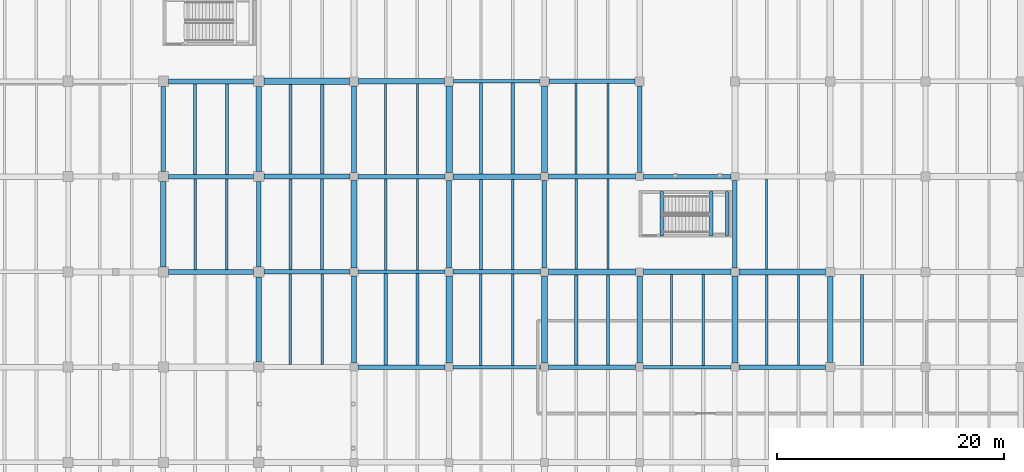
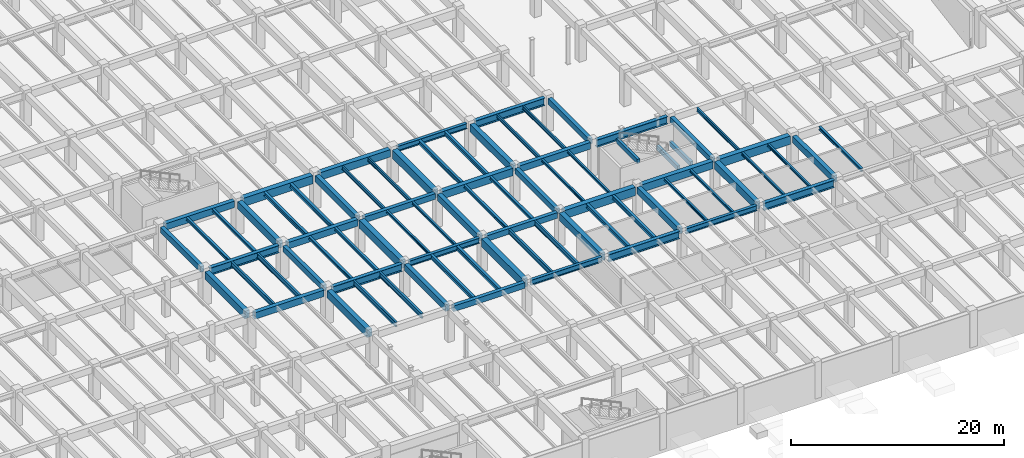
# One storey, part 17 of 63: 79 beams.
"""IFC4 building model written with IfcOpenShell, lengths in metres."""

from ifc_helpers import new_model, si_unit, direction, frame, origin, origin_2d, place, context, subcontext, project, spatial, rectangle, i_section, extrude, material, material_profile, profile_set, type_object, element, save


model = new_model("IFC4")

# Units and contexts
model_context = context("Model", 3, precision=1e-05, world=origin(), true_north=direction((0.0, 1.0)))
body_context = subcontext(model_context, "Body", "Model", "MODEL_VIEW")
ifc_project = project(units=[si_unit("LENGTHUNIT", "METRE"), si_unit("AREAUNIT", "SQUARE_METRE"), si_unit("VOLUMEUNIT", "CUBIC_METRE"), si_unit("PLANEANGLEUNIT", "RADIAN"), si_unit("MASSUNIT", "GRAM", prefix="KILO")], contexts=[model_context])

# Site, building, storey
site_placement = place(None, origin())
site = spatial("IfcSite", under=ifc_project, at=site_placement, CompositionType="ELEMENT")
building_placement = place(site_placement, origin())
building = spatial("IfcBuilding", under=site, at=building_placement, Name="Cumbredor Promenade Congress Hotel", CompositionType="ELEMENT")
storey_placement = place(building_placement, frame((0.0, 0.0, -4.199951171875)))
storey = spatial("IfcBuildingStorey", under=building, at=storey_placement, Name="B01", CompositionType="ELEMENT", Elevation=-4.199951171875)

# Beams
ifc_material_1 = material(Name="Concrete C40/50", Category="concrete")
ifc_material_profile_1 = material_profile(ifc_material_1, rectangle(XDim=0.39990234375, YDim=0.64990234375, at=origin_2d()), Name="RC BEAM 400x650")
ifc_profile_set_1 = profile_set([ifc_material_profile_1], Name="Concrete C40/50")
beam_type_1 = type_object("IfcBeamType", Name="BM-RC-400x650", PredefinedType="BEAM", material=ifc_profile_set_1)
for number, where, z_axis, x_axis, name in (
    (1, (58.800048828125, 50.85009765625, 3.52490234375), (0.0, 1.0, 0.0), (-1.0, 0.0, 0.0), "L00 Y-Grid Beam 159"),
    (2, (67.199951171875, 42.449951171875, 3.52490234375), (0.0, 1.0, 0.0), (-1.0, 0.0, 0.0), "L00 Y-Grid Beam 183"),
):
    element("IfcBeam", number, at=place(storey_placement, frame(where, z_axis=z_axis, x_axis=x_axis)), inside=storey, type_object=beam_type_1, Name=name, PredefinedType="BEAM", context=body_context, shape_type="SweptSolid", body=[
        extrude(rectangle(XDim=0.39990234375, YDim=0.64990234375, at=origin_2d()), origin(), (0.0, 0.0, 1.0), 7.5),
    ])
for number, where, z_axis, x_axis, name in (
    (3, (75.949951171875, 33.60009765625, 3.52490234375), (1.0, 0.0, 0.0), (0.0, 1.0, 0.0), "L00 X-Grid Beam 207"),
    (4, (75.949951171875, 50.39990234375, 3.52490234375), (1.0, 0.0, 0.0), (0.0, 1.0, 0.0), "L00 X-Grid Beam 211"),
    (5, (84.35009765625, 42.0, 3.52490234375), (1.0, 0.0, 0.0), (0.0, 1.0, 0.0), "L00 X-Grid Beam 235"),
    (6, (92.39990234375, 42.35009765625, 3.52490234375), (0.0, 1.0, 0.0), (-1.0, 0.0, 0.0), "L00 Y-Grid Beam 263"),
):
    element("IfcBeam", number, at=place(storey_placement, frame(where, z_axis=z_axis, x_axis=x_axis)), inside=storey, type_object=beam_type_1, Name=name, PredefinedType="BEAM", context=body_context, shape_type="SweptSolid", body=[
        extrude(rectangle(XDim=0.39990234375, YDim=0.64990234375, at=origin_2d()), origin(), (0.0, 0.0, 1.0), 7.699951171875),
    ])
beam_1_placement = place(storey_placement, frame((100.800048828125, 50.75, 3.52490234375), z_axis=(0.0, 1.0, 0.0), x_axis=(-1.0, 0.0, 0.0)))
element("IfcBeam", 7, at=beam_1_placement, inside=storey, type_object=beam_type_1, Name="L00 Y-Grid Beam 291", PredefinedType="BEAM", context=body_context, shape_type="SweptSolid", body=[
    extrude(rectangle(XDim=0.39990234375, YDim=0.64990234375, at=origin_2d()), origin(), (0.0, 0.0, 1.0), 7.64990234375),
])
beam_2_placement = place(storey_placement, frame((109.199951171875, 42.35009765625, 3.52490234375), z_axis=(0.0, 1.0, 0.0), x_axis=(-1.0, 0.0, 0.0)))
element("IfcBeam", 8, at=beam_2_placement, inside=storey, type_object=beam_type_1, Name="L00 Y-Grid Beam 311", PredefinedType="BEAM", context=body_context, shape_type="SweptSolid", body=[
    extrude(rectangle(XDim=0.39990234375, YDim=0.64990234375, at=origin_2d()), origin(), (0.0, 0.0, 1.0), 7.699951171875),
])
ifc_material_profile_2 = material_profile(ifc_material_1, rectangle(XDim=0.449951171875, YDim=0.75, at=origin_2d()), Name="RC BEAM 450x750")
ifc_profile_set_2 = profile_set([ifc_material_profile_2], Name="Concrete C40/50")
beam_type_2 = type_object("IfcBeamType", Name="BM-RC-450x750", PredefinedType="BEAM", material=ifc_profile_set_2)
for number, where, z_axis, x_axis, name in (
    (9, (59.25, 42.0, 3.474853515625), (1.0, 0.0, 0.0), (0.0, 1.0, 0.0), "L00 X-Grid Beam 156"),
    (10, (59.25, 58.800048828125, 3.474853515625), (1.0, 0.0, 0.0), (0.0, 1.0, 0.0), "L00 X-Grid Beam 160"),
):
    element("IfcBeam", number, at=place(storey_placement, frame(where, z_axis=z_axis, x_axis=x_axis)), inside=storey, type_object=beam_type_2, Name=name, PredefinedType="BEAM", context=body_context, shape_type="SweptSolid", body=[
        extrude(rectangle(XDim=0.449951171875, YDim=0.75, at=origin_2d()), origin(), (0.0, 0.0, 1.0), 7.5),
    ])
beam_3_placement = place(storey_placement, frame((67.64990234375, 50.39990234375, 3.474853515625), z_axis=(1.0, 0.0, 0.0), x_axis=(0.0, 1.0, 0.0)))
element("IfcBeam", 11, at=beam_3_placement, inside=storey, type_object=beam_type_2, Name="L00 X-Grid Beam 184", PredefinedType="BEAM", context=body_context, shape_type="SweptSolid", body=[
    extrude(rectangle(XDim=0.449951171875, YDim=0.75, at=origin_2d()), origin(), (0.0, 0.0, 1.0), 7.60009765625),
])
beam_4_placement = place(storey_placement, frame((75.60009765625, 33.949951171875, 3.474853515625), z_axis=(0.0, 1.0, 0.0), x_axis=(-1.0, 0.0, 0.0)))
element("IfcBeam", 12, at=beam_4_placement, inside=storey, type_object=beam_type_2, Name="L00 Y-Grid Beam 208", PredefinedType="BEAM", context=body_context, shape_type="SweptSolid", body=[
    extrude(rectangle(XDim=0.449951171875, YDim=0.75, at=origin_2d()), origin(), (0.0, 0.0, 1.0), 7.699951171875),
])
beam_5_placement = place(storey_placement, frame((75.60009765625, 50.75, 3.474853515625), z_axis=(0.0, 1.0, 0.0), x_axis=(-1.0, 0.0, 0.0)))
element("IfcBeam", 13, at=beam_5_placement, inside=storey, type_object=beam_type_2, Name="L00 Y-Grid Beam 212", PredefinedType="BEAM", context=body_context, shape_type="SweptSolid", body=[
    extrude(rectangle(XDim=0.449951171875, YDim=0.75, at=origin_2d()), origin(), (0.0, 0.0, 1.0), 7.64990234375),
])
for number, where, z_axis, x_axis, name in (
    (14, (84.0, 42.35009765625, 3.474853515625), (0.0, 1.0, 0.0), (-1.0, 0.0, 0.0), "L00 Y-Grid Beam 236"),
    (15, (92.75, 50.39990234375, 3.474853515625), (1.0, 0.0, 0.0), (0.0, 1.0, 0.0), "L00 X-Grid Beam 264"),
    (16, (100.800048828125, 33.949951171875, 3.474853515625), (0.0, 1.0, 0.0), (-1.0, 0.0, 0.0), "L00 Y-Grid Beam 288"),
):
    element("IfcBeam", number, at=place(storey_placement, frame(where, z_axis=z_axis, x_axis=x_axis)), inside=storey, type_object=beam_type_2, Name=name, PredefinedType="BEAM", context=body_context, shape_type="SweptSolid", body=[
        extrude(rectangle(XDim=0.449951171875, YDim=0.75, at=origin_2d()), origin(), (0.0, 0.0, 1.0), 7.699951171875),
    ])
beam_6_placement = place(storey_placement, frame((117.60009765625, 34.0, 3.474853515625), z_axis=(0.0, 1.0, 0.0), x_axis=(-1.0, 0.0, 0.0)))
element("IfcBeam", 17, at=beam_6_placement, inside=storey, type_object=beam_type_2, Name="L00 Y-Grid Beam 336", PredefinedType="BEAM", context=body_context, shape_type="SweptSolid", body=[
    extrude(rectangle(XDim=0.449951171875, YDim=0.75, at=origin_2d()), origin(), (0.0, 0.0, 1.0), 7.60009765625),
])
ifc_material_profile_3 = material_profile(ifc_material_1, rectangle(XDim=0.5, YDim=0.85009765625, at=origin_2d()), Name="RC BEAM 500x850")
ifc_profile_set_3 = profile_set([ifc_material_profile_3], Name="Concrete C40/50")
beam_type_3 = type_object("IfcBeamType", Name="BM-RC-500x850", PredefinedType="BEAM", material=ifc_profile_set_3)
for number, where, z_axis, x_axis, name in (
    (18, (58.800048828125, 42.449951171875, 3.425048828125), (0.0, 1.0, 0.0), (-1.0, 0.0, 0.0), "L00 Y-Grid Beam 157"),
    (19, (67.199951171875, 34.050048828125, 3.425048828125), (0.0, 1.0, 0.0), (-1.0, 0.0, 0.0), "L00 Y-Grid Beam 181"),
    (20, (67.199951171875, 50.85009765625, 3.425048828125), (0.0, 1.0, 0.0), (-1.0, 0.0, 0.0), "L00 Y-Grid Beam 185"),
):
    element("IfcBeam", number, at=place(storey_placement, frame(where, z_axis=z_axis, x_axis=x_axis)), inside=storey, type_object=beam_type_3, Name=name, PredefinedType="BEAM", context=body_context, shape_type="SweptSolid", body=[
        extrude(rectangle(XDim=0.5, YDim=0.85009765625, at=origin_2d()), origin(), (0.0, 0.0, 1.0), 7.5),
    ])
beam_7_placement = place(storey_placement, frame((76.0, 58.800048828125, 3.425048828125), z_axis=(1.0, 0.0, 0.0), x_axis=(0.0, 1.0, 0.0)))
element("IfcBeam", 21, at=beam_7_placement, inside=storey, type_object=beam_type_3, Name="L00 X-Grid Beam 213", PredefinedType="BEAM", context=body_context, shape_type="SweptSolid", body=[
    extrude(rectangle(XDim=0.5, YDim=0.85009765625, at=origin_2d()), origin(), (0.0, 0.0, 1.0), 7.60009765625),
])
for number, where, z_axis, x_axis, name in (
    (22, (84.35009765625, 50.39990234375, 3.425048828125), (1.0, 0.0, 0.0), (0.0, 1.0, 0.0), "L00 X-Grid Beam 237"),
    (23, (92.39990234375, 33.949951171875, 3.425048828125), (0.0, 1.0, 0.0), (-1.0, 0.0, 0.0), "L00 Y-Grid Beam 261"),
):
    element("IfcBeam", number, at=place(storey_placement, frame(where, z_axis=z_axis, x_axis=x_axis)), inside=storey, type_object=beam_type_3, Name=name, PredefinedType="BEAM", context=body_context, shape_type="SweptSolid", body=[
        extrude(rectangle(XDim=0.5, YDim=0.85009765625, at=origin_2d()), origin(), (0.0, 0.0, 1.0), 7.699951171875),
    ])
beam_8_placement = place(storey_placement, frame((92.39990234375, 50.75, 3.425048828125), z_axis=(0.0, 1.0, 0.0), x_axis=(-1.0, 0.0, 0.0)))
element("IfcBeam", 24, at=beam_8_placement, inside=storey, type_object=beam_type_3, Name="L00 Y-Grid Beam 265", PredefinedType="BEAM", context=body_context, shape_type="SweptSolid", body=[
    extrude(rectangle(XDim=0.5, YDim=0.85009765625, at=origin_2d()), origin(), (0.0, 0.0, 1.0), 7.64990234375),
])
beam_9_placement = place(storey_placement, frame((101.14990234375, 42.0, 3.425048828125), z_axis=(1.0, 0.0, 0.0), x_axis=(0.0, 1.0, 0.0)))
element("IfcBeam", 25, at=beam_9_placement, inside=storey, type_object=beam_type_3, Name="L00 X-Grid Beam 289", PredefinedType="BEAM", context=body_context, shape_type="SweptSolid", body=[
    extrude(rectangle(XDim=0.5, YDim=0.85009765625, at=origin_2d()), origin(), (0.0, 0.0, 1.0), 7.7001953125),
])
beam_10_placement = place(storey_placement, frame((109.199951171875, 33.949951171875, 3.425048828125), z_axis=(0.0, 1.0, 0.0), x_axis=(-1.0, 0.0, 0.0)))
element("IfcBeam", 26, at=beam_10_placement, inside=storey, type_object=beam_type_3, Name="L00 Y-Grid Beam 309", PredefinedType="BEAM", context=body_context, shape_type="SweptSolid", body=[
    extrude(rectangle(XDim=0.5, YDim=0.85009765625, at=origin_2d()), origin(), (0.0, 0.0, 1.0), 7.699951171875),
])
ifc_material_profile_4 = material_profile(ifc_material_1, rectangle(XDim=0.550048828125, YDim=0.949951171875, at=origin_2d()), Name="RC BEAM 550x950")
ifc_profile_set_4 = profile_set([ifc_material_profile_4], Name="Concrete C40/50")
beam_type_4 = type_object("IfcBeamType", Name="BM-RC-550x950", PredefinedType="BEAM", material=ifc_profile_set_4)
beam_11_placement = place(storey_placement, frame((67.64990234375, 58.800048828125, 3.375), z_axis=(1.0, 0.0, 0.0), x_axis=(0.0, 1.0, 0.0)))
element("IfcBeam", 27, at=beam_11_placement, inside=storey, type_object=beam_type_4, Name="L00 X-Grid Beam 186", PredefinedType="BEAM", context=body_context, shape_type="SweptSolid", body=[
    extrude(rectangle(XDim=0.550048828125, YDim=0.949951171875, at=origin_2d()), origin(), (0.0, 0.0, 1.0), 7.550048828125),
])
for number, where, z_axis, x_axis, name in (
    (28, (75.60009765625, 42.35009765625, 3.375), (0.0, 1.0, 0.0), (-1.0, 0.0, 0.0), "L00 Y-Grid Beam 210"),
    (29, (84.0, 33.949951171875, 3.375), (0.0, 1.0, 0.0), (-1.0, 0.0, 0.0), "L00 Y-Grid Beam 234"),
):
    element("IfcBeam", number, at=place(storey_placement, frame(where, z_axis=z_axis, x_axis=x_axis)), inside=storey, type_object=beam_type_4, Name=name, PredefinedType="BEAM", context=body_context, shape_type="SweptSolid", body=[
        extrude(rectangle(XDim=0.550048828125, YDim=0.949951171875, at=origin_2d()), origin(), (0.0, 0.0, 1.0), 7.699951171875),
    ])
beam_12_placement = place(storey_placement, frame((84.0, 50.75, 3.375), z_axis=(0.0, 1.0, 0.0), x_axis=(-1.0, 0.0, 0.0)))
element("IfcBeam", 30, at=beam_12_placement, inside=storey, type_object=beam_type_4, Name="L00 Y-Grid Beam 238", PredefinedType="BEAM", context=body_context, shape_type="SweptSolid", body=[
    extrude(rectangle(XDim=0.550048828125, YDim=0.949951171875, at=origin_2d()), origin(), (0.0, 0.0, 1.0), 7.64990234375),
])
beam_13_placement = place(storey_placement, frame((92.75, 42.0, 3.375), z_axis=(1.0, 0.0, 0.0), x_axis=(0.0, 1.0, 0.0)))
element("IfcBeam", 31, at=beam_13_placement, inside=storey, type_object=beam_type_4, Name="L00 X-Grid Beam 262", PredefinedType="BEAM", context=body_context, shape_type="SweptSolid", body=[
    extrude(rectangle(XDim=0.550048828125, YDim=0.949951171875, at=origin_2d()), origin(), (0.0, 0.0, 1.0), 7.699951171875),
])
beam_14_placement = place(storey_placement, frame((109.550048828125, 42.0, 3.375), z_axis=(1.0, 0.0, 0.0), x_axis=(0.0, 1.0, 0.0)))
element("IfcBeam", 32, at=beam_14_placement, inside=storey, type_object=beam_type_4, Name="L00 X-Grid Beam 310", PredefinedType="BEAM", context=body_context, shape_type="SweptSolid", body=[
    extrude(rectangle(XDim=0.550048828125, YDim=0.949951171875, at=origin_2d()), origin(), (0.0, 0.0, 1.0), 7.64990234375),
])
ifc_material_2 = material(Name="Steel ASTM A992 Grade 50", Category="steel")
ifc_material_profile_5 = material_profile(ifc_material_2, i_section(OverallWidth=0.323974609375, OverallDepth=0.611083984375, WebThickness=0.0126953125, FlangeThickness=0.01904296875, at=origin_2d()), Name="W24X104")
ifc_profile_set_5 = profile_set([ifc_material_profile_5], Name="Steel ASTM A992 Grade 50")
beam_type_5 = type_object("IfcBeamType", Name="BM-W24X104", PredefinedType="BEAM", material=ifc_profile_set_5)
for number, where, z_axis, x_axis, name in (
    (33, (75.949951171875, 42.0, 3.54443359375), (1.0, 0.0, 0.0), (0.0, 1.0, 0.0), "L00 X-Grid Beam 209"),
    (34, (84.35009765625, 33.60009765625, 3.54443359375), (1.0, 0.0, 0.0), (0.0, 1.0, 0.0), "L00 X-Grid Beam 233"),
):
    element("IfcBeam", number, at=place(storey_placement, frame(where, z_axis=z_axis, x_axis=x_axis)), inside=storey, type_object=beam_type_5, Name=name, PredefinedType="BEAM", context=body_context, shape_type="SweptSolid", body=[
        extrude(i_section(OverallWidth=0.323974609375, OverallDepth=0.611083984375, WebThickness=0.0126953125, FlangeThickness=0.01904296875, at=origin_2d()), origin(), (0.0, 0.0, 1.0), 7.699951171875),
    ])
beam_15_placement = place(storey_placement, frame((84.39990234375, 58.800048828125, 3.54443359375), z_axis=(1.0, 0.0, 0.0), x_axis=(0.0, 1.0, 0.0)))
element("IfcBeam", 35, at=beam_15_placement, inside=storey, type_object=beam_type_5, Name="L00 X-Grid Beam 239", PredefinedType="BEAM", context=body_context, shape_type="SweptSolid", body=[
    extrude(i_section(OverallWidth=0.323974609375, OverallDepth=0.611083984375, WebThickness=0.0126953125, FlangeThickness=0.01904296875, at=origin_2d()), origin(), (0.0, 0.0, 1.0), 7.60009765625),
])
beam_16_placement = place(storey_placement, frame((101.14990234375, 33.60009765625, 3.54443359375), z_axis=(1.0, 0.0, 0.0), x_axis=(0.0, 1.0, 0.0)))
element("IfcBeam", 36, at=beam_16_placement, inside=storey, type_object=beam_type_5, Name="L00 X-Grid Beam 287", PredefinedType="BEAM", context=body_context, shape_type="SweptSolid", body=[
    extrude(i_section(OverallWidth=0.323974609375, OverallDepth=0.611083984375, WebThickness=0.0126953125, FlangeThickness=0.01904296875, at=origin_2d()), origin(), (0.0, 0.0, 1.0), 7.7001953125),
])
ifc_material_profile_6 = material_profile(ifc_material_2, i_section(OverallWidth=0.39990234375, OverallDepth=0.85498046875, WebThickness=0.018310546875, FlangeThickness=0.029296875, at=origin_2d()), Name="W33X201")
ifc_profile_set_6 = profile_set([ifc_material_profile_6], Name="Steel ASTM A992 Grade 50")
beam_type_6 = type_object("IfcBeamType", Name="BM-W33X201", PredefinedType="BEAM", material=ifc_profile_set_6)
beam_17_placement = place(storey_placement, frame((59.25, 50.39990234375, 3.42236328125), z_axis=(1.0, 0.0, 0.0), x_axis=(0.0, 1.0, 0.0)))
element("IfcBeam", 37, at=beam_17_placement, inside=storey, type_object=beam_type_6, Name="L00 X-Grid Beam 158", PredefinedType="BEAM", context=body_context, shape_type="SweptSolid", body=[
    extrude(i_section(OverallWidth=0.39990234375, OverallDepth=0.85498046875, WebThickness=0.018310546875, FlangeThickness=0.029296875, at=origin_2d()), origin(), (0.0, 0.0, 1.0), 7.5),
])
beam_18_placement = place(storey_placement, frame((67.64990234375, 42.0, 3.42236328125), z_axis=(1.0, 0.0, 0.0), x_axis=(0.0, 1.0, 0.0)))
element("IfcBeam", 38, at=beam_18_placement, inside=storey, type_object=beam_type_6, Name="L00 X-Grid Beam 182", PredefinedType="BEAM", context=body_context, shape_type="SweptSolid", body=[
    extrude(i_section(OverallWidth=0.39990234375, OverallDepth=0.85498046875, WebThickness=0.018310546875, FlangeThickness=0.029296875, at=origin_2d()), origin(), (0.0, 0.0, 1.0), 7.60009765625),
])
beam_19_placement = place(storey_placement, frame((92.75, 33.60009765625, 3.42236328125), z_axis=(1.0, 0.0, 0.0), x_axis=(0.0, 1.0, 0.0)))
element("IfcBeam", 39, at=beam_19_placement, inside=storey, type_object=beam_type_6, Name="L00 X-Grid Beam 260", PredefinedType="BEAM", context=body_context, shape_type="SweptSolid", body=[
    extrude(i_section(OverallWidth=0.39990234375, OverallDepth=0.85498046875, WebThickness=0.018310546875, FlangeThickness=0.029296875, at=origin_2d()), origin(), (0.0, 0.0, 1.0), 7.699951171875),
])
beam_20_placement = place(storey_placement, frame((92.800048828125, 58.800048828125, 3.42236328125), z_axis=(1.0, 0.0, 0.0), x_axis=(0.0, 1.0, 0.0)))
element("IfcBeam", 40, at=beam_20_placement, inside=storey, type_object=beam_type_6, Name="L00 X-Grid Beam 266", PredefinedType="BEAM", context=body_context, shape_type="SweptSolid", body=[
    extrude(i_section(OverallWidth=0.39990234375, OverallDepth=0.85498046875, WebThickness=0.018310546875, FlangeThickness=0.029296875, at=origin_2d()), origin(), (0.0, 0.0, 1.0), 7.599853515625),
])
beam_21_placement = place(storey_placement, frame((101.14990234375, 50.39990234375, 3.42236328125), z_axis=(1.0, 0.0, 0.0), x_axis=(0.0, 1.0, 0.0)))
element("IfcBeam", 41, at=beam_21_placement, inside=storey, type_object=beam_type_6, Name="L00 X-Grid Beam 290", PredefinedType="BEAM", context=body_context, shape_type="SweptSolid", body=[
    extrude(i_section(OverallWidth=0.39990234375, OverallDepth=0.85498046875, WebThickness=0.018310546875, FlangeThickness=0.029296875, at=origin_2d()), origin(), (0.0, 0.0, 1.0), 7.7001953125),
])
beam_22_placement = place(storey_placement, frame((109.550048828125, 33.60009765625, 3.42236328125), z_axis=(1.0, 0.0, 0.0), x_axis=(0.0, 1.0, 0.0)))
element("IfcBeam", 42, at=beam_22_placement, inside=storey, type_object=beam_type_6, Name="L00 X-Grid Beam 308", PredefinedType="BEAM", context=body_context, shape_type="SweptSolid", body=[
    extrude(i_section(OverallWidth=0.39990234375, OverallDepth=0.85498046875, WebThickness=0.018310546875, FlangeThickness=0.029296875, at=origin_2d()), origin(), (0.0, 0.0, 1.0), 7.64990234375),
])
ifc_material_profile_7 = material_profile(ifc_material_2, i_section(OverallWidth=0.202880859375, OverallDepth=0.302978515625, WebThickness=0.007568359375, FlangeThickness=0.01318359375, at=origin_2d()), Name="W12X40")
ifc_profile_set_7 = profile_set([ifc_material_profile_7], Name="Steel ASTM A992 Grade 50")
beam_type_7 = type_object("IfcBeamType", Name="JST-W12X40", PredefinedType="JOIST", material=ifc_profile_set_7)
for number, where, z_axis, x_axis, name in (
    (43, (78.39990234375, 42.162109375, 3.698486328125), (0.0, 1.0, 0.0), (-1.0, 0.0, 0.0), "L00 Secondary Floor Joist 0174"),
    (44, (81.199951171875, 42.162109375, 3.698486328125), (0.0, 1.0, 0.0), (-1.0, 0.0, 0.0), "L00 Secondary Floor Joist 0175"),
):
    element("IfcBeam", number, at=place(storey_placement, frame(where, z_axis=z_axis, x_axis=x_axis)), inside=storey, type_object=beam_type_7, Name=name, PredefinedType="JOIST", context=body_context, shape_type="SweptSolid", body=[
        extrude(i_section(OverallWidth=0.202880859375, OverallDepth=0.302978515625, WebThickness=0.007568359375, FlangeThickness=0.01318359375, at=origin_2d()), origin(), (0.0, 0.0, 1.0), 8.037841796875),
    ])
for number, where, z_axis, x_axis, name in (
    (45, (95.199951171875, 42.27490234375, 3.698486328125), (0.0, 1.0, 0.0), (-1.0, 0.0, 0.0), "L00 Secondary Floor Joist 0224"),
    (46, (98.0, 42.27490234375, 3.698486328125), (0.0, 1.0, 0.0), (-1.0, 0.0, 0.0), "L00 Secondary Floor Joist 0225"),
):
    element("IfcBeam", number, at=place(storey_placement, frame(where, z_axis=z_axis, x_axis=x_axis)), inside=storey, type_object=beam_type_7, Name=name, PredefinedType="JOIST", context=body_context, shape_type="SweptSolid", body=[
        extrude(i_section(OverallWidth=0.202880859375, OverallDepth=0.302978515625, WebThickness=0.007568359375, FlangeThickness=0.01318359375, at=origin_2d()), origin(), (0.0, 0.0, 1.0), 7.900146484375),
    ])
for number, where, z_axis, x_axis, name in (
    (47, (103.60009765625, 33.761962890625, 3.698486328125), (0.0, 1.0, 0.0), (-1.0, 0.0, 0.0), "L00 Secondary Floor Joist 0244"),
    (48, (106.39990234375, 33.761962890625, 3.698486328125), (0.0, 1.0, 0.0), (-1.0, 0.0, 0.0), "L00 Secondary Floor Joist 0245"),
):
    element("IfcBeam", number, at=place(storey_placement, frame(where, z_axis=z_axis, x_axis=x_axis)), inside=storey, type_object=beam_type_7, Name=name, PredefinedType="JOIST", context=body_context, shape_type="SweptSolid", body=[
        extrude(i_section(OverallWidth=0.202880859375, OverallDepth=0.302978515625, WebThickness=0.007568359375, FlangeThickness=0.01318359375, at=origin_2d()), origin(), (0.0, 0.0, 1.0), 7.988037109375),
    ])
for number, where, z_axis, x_axis, name in (
    (49, (112.0, 33.800048828125, 3.698486328125), (0.0, 1.0, 0.0), (-1.0, 0.0, 0.0), "L00 Secondary Floor Joist 0259"),
    (50, (114.800048828125, 33.800048828125, 3.698486328125), (0.0, 1.0, 0.0), (-1.0, 0.0, 0.0), "L00 Secondary Floor Joist 0260"),
):
    element("IfcBeam", number, at=place(storey_placement, frame(where, z_axis=z_axis, x_axis=x_axis)), inside=storey, type_object=beam_type_7, Name=name, PredefinedType="JOIST", context=body_context, shape_type="SweptSolid", body=[
        extrude(i_section(OverallWidth=0.202880859375, OverallDepth=0.302978515625, WebThickness=0.007568359375, FlangeThickness=0.01318359375, at=origin_2d()), origin(), (0.0, 0.0, 1.0), 7.925048828125),
    ])
ifc_material_profile_8 = material_profile(ifc_material_2, i_section(OverallWidth=0.2548828125, OverallDepth=0.35693359375, WebThickness=0.010498046875, FlangeThickness=0.018310546875, at=origin_2d()), Name="W14X68")
ifc_profile_set_8 = profile_set([ifc_material_profile_8], Name="Steel ASTM A992 Grade 50")
beam_type_8 = type_object("IfcBeamType", Name="JST-W14X68", PredefinedType="JOIST", material=ifc_profile_set_8)
for number, where, z_axis, x_axis, name in (
    (51, (61.60009765625, 50.60009765625, 3.67138671875), (0.0, 1.0, 0.0), (-1.0, 0.0, 0.0), "L00 Secondary Floor Joist 0130"),
    (52, (64.39990234375, 50.60009765625, 3.67138671875), (0.0, 1.0, 0.0), (-1.0, 0.0, 0.0), "L00 Secondary Floor Joist 0131"),
):
    element("IfcBeam", number, at=place(storey_placement, frame(where, z_axis=z_axis, x_axis=x_axis)), inside=storey, type_object=beam_type_8, Name=name, PredefinedType="JOIST", context=body_context, shape_type="SweptSolid", body=[
        extrude(i_section(OverallWidth=0.2548828125, OverallDepth=0.35693359375, WebThickness=0.010498046875, FlangeThickness=0.018310546875, at=origin_2d()), origin(), (0.0, 0.0, 1.0), 7.974853515625),
    ])
for number, where, z_axis, x_axis, name in (
    (53, (70.0, 42.199951171875, 3.67138671875), (0.0, 1.0, 0.0), (-1.0, 0.0, 0.0), "L00 Secondary Floor Joist 0150"),
    (54, (72.800048828125, 42.199951171875, 3.67138671875), (0.0, 1.0, 0.0), (-1.0, 0.0, 0.0), "L00 Secondary Floor Joist 0151"),
):
    element("IfcBeam", number, at=place(storey_placement, frame(where, z_axis=z_axis, x_axis=x_axis)), inside=storey, type_object=beam_type_8, Name=name, PredefinedType="JOIST", context=body_context, shape_type="SweptSolid", body=[
        extrude(i_section(OverallWidth=0.2548828125, OverallDepth=0.35693359375, WebThickness=0.010498046875, FlangeThickness=0.018310546875, at=origin_2d()), origin(), (0.0, 0.0, 1.0), 7.97509765625),
    ])
for number, where, z_axis, x_axis, name in (
    (55, (86.800048828125, 42.199951171875, 3.67138671875), (0.0, 1.0, 0.0), (-1.0, 0.0, 0.0), "L00 Secondary Floor Joist 0200"),
    (56, (89.60009765625, 42.199951171875, 3.67138671875), (0.0, 1.0, 0.0), (-1.0, 0.0, 0.0), "L00 Secondary Floor Joist 0201"),
):
    element("IfcBeam", number, at=place(storey_placement, frame(where, z_axis=z_axis, x_axis=x_axis)), inside=storey, type_object=beam_type_8, Name=name, PredefinedType="JOIST", context=body_context, shape_type="SweptSolid", body=[
        extrude(i_section(OverallWidth=0.2548828125, OverallDepth=0.35693359375, WebThickness=0.010498046875, FlangeThickness=0.018310546875, at=origin_2d()), origin(), (0.0, 0.0, 1.0), 7.949951171875),
    ])
beam_23_placement = place(storey_placement, frame((120.39990234375, 33.761962890625, 3.67138671875), z_axis=(0.0, 1.0, 0.0), x_axis=(-1.0, 0.0, 0.0)))
element("IfcBeam", 57, at=beam_23_placement, inside=storey, type_object=beam_type_8, Name="L00 Secondary Floor Joist 0285", PredefinedType="JOIST", context=body_context, shape_type="SweptSolid", body=[
    extrude(i_section(OverallWidth=0.2548828125, OverallDepth=0.35693359375, WebThickness=0.010498046875, FlangeThickness=0.018310546875, at=origin_2d()), origin(), (0.0, 0.0, 1.0), 7.988037109375),
])
ifc_material_profile_9 = material_profile(ifc_material_2, i_section(OverallWidth=0.180908203125, OverallDepth=0.4169921875, WebThickness=0.010986328125, FlangeThickness=0.018310546875, at=origin_2d()), Name="W16X57")
ifc_profile_set_9 = profile_set([ifc_material_profile_9], Name="Steel ASTM A992 Grade 50")
beam_type_9 = type_object("IfcBeamType", Name="JST-W16X57", PredefinedType="JOIST", material=ifc_profile_set_9)
for number, where, z_axis, x_axis, name in (
    (58, (78.39990234375, 50.60009765625, 3.641357421875), (0.0, 1.0, 0.0), (-1.0, 0.0, 0.0), "L00 Secondary Floor Joist 0176"),
    (59, (81.199951171875, 50.60009765625, 3.641357421875), (0.0, 1.0, 0.0), (-1.0, 0.0, 0.0), "L00 Secondary Floor Joist 0177"),
):
    element("IfcBeam", number, at=place(storey_placement, frame(where, z_axis=z_axis, x_axis=x_axis)), inside=storey, type_object=beam_type_9, Name=name, PredefinedType="JOIST", context=body_context, shape_type="SweptSolid", body=[
        extrude(i_section(OverallWidth=0.180908203125, OverallDepth=0.4169921875, WebThickness=0.010986328125, FlangeThickness=0.018310546875, at=origin_2d()), origin(), (0.0, 0.0, 1.0), 7.949951171875),
    ])
for number, where, z_axis, x_axis, name in (
    (60, (95.199951171875, 50.625, 3.641357421875), (0.0, 1.0, 0.0), (-1.0, 0.0, 0.0), "L00 Secondary Floor Joist 0226"),
    (61, (98.0, 50.625, 3.641357421875), (0.0, 1.0, 0.0), (-1.0, 0.0, 0.0), "L00 Secondary Floor Joist 0227"),
):
    element("IfcBeam", number, at=place(storey_placement, frame(where, z_axis=z_axis, x_axis=x_axis)), inside=storey, type_object=beam_type_9, Name=name, PredefinedType="JOIST", context=body_context, shape_type="SweptSolid", body=[
        extrude(i_section(OverallWidth=0.180908203125, OverallDepth=0.4169921875, WebThickness=0.010986328125, FlangeThickness=0.018310546875, at=origin_2d()), origin(), (0.0, 0.0, 1.0), 7.97509765625),
    ])
beam_24_placement = place(storey_placement, frame((112.0, 42.27490234375, 3.641357421875), z_axis=(0.0, 1.0, 0.0), x_axis=(-1.0, 0.0, 0.0)))
element("IfcBeam", 62, at=beam_24_placement, inside=storey, type_object=beam_type_9, Name="L00 Secondary Floor Joist 0261", PredefinedType="JOIST", context=body_context, shape_type="SweptSolid", body=[
    extrude(i_section(OverallWidth=0.180908203125, OverallDepth=0.4169921875, WebThickness=0.010986328125, FlangeThickness=0.018310546875, at=origin_2d()), origin(), (0.0, 0.0, 1.0), 7.900146484375),
])
ifc_material_profile_10 = material_profile(ifc_material_2, i_section(OverallWidth=0.280029296875, OverallDepth=0.462890625, WebThickness=0.0107421875, FlangeThickness=0.017333984375, at=origin_2d()), Name="W18X76")
ifc_profile_set_10 = profile_set([ifc_material_profile_10], Name="Steel ASTM A992 Grade 50")
beam_type_10 = type_object("IfcBeamType", Name="JST-W18X76", PredefinedType="JOIST", material=ifc_profile_set_10)
for number, where, z_axis, x_axis, name in (
    (63, (70.0, 50.625, 3.618408203125), (0.0, 1.0, 0.0), (-1.0, 0.0, 0.0), "L00 Secondary Floor Joist 0152"),
    (64, (72.800048828125, 50.625, 3.618408203125), (0.0, 1.0, 0.0), (-1.0, 0.0, 0.0), "L00 Secondary Floor Joist 0153"),
):
    element("IfcBeam", number, at=place(storey_placement, frame(where, z_axis=z_axis, x_axis=x_axis)), inside=storey, type_object=beam_type_10, Name=name, PredefinedType="JOIST", context=body_context, shape_type="SweptSolid", body=[
        extrude(i_section(OverallWidth=0.280029296875, OverallDepth=0.462890625, WebThickness=0.0107421875, FlangeThickness=0.017333984375, at=origin_2d()), origin(), (0.0, 0.0, 1.0), 7.89990234375),
    ])
for number, where, z_axis, x_axis, name in (
    (65, (78.39990234375, 33.800048828125, 3.618408203125), (0.0, 1.0, 0.0), (-1.0, 0.0, 0.0), "L00 Secondary Floor Joist 0172"),
    (66, (81.199951171875, 33.800048828125, 3.618408203125), (0.0, 1.0, 0.0), (-1.0, 0.0, 0.0), "L00 Secondary Floor Joist 0173"),
):
    element("IfcBeam", number, at=place(storey_placement, frame(where, z_axis=z_axis, x_axis=x_axis)), inside=storey, type_object=beam_type_10, Name=name, PredefinedType="JOIST", context=body_context, shape_type="SweptSolid", body=[
        extrude(i_section(OverallWidth=0.280029296875, OverallDepth=0.462890625, WebThickness=0.0107421875, FlangeThickness=0.017333984375, at=origin_2d()), origin(), (0.0, 0.0, 1.0), 8.037841796875),
    ])
for number, where, z_axis, x_axis, name in (
    (67, (86.800048828125, 50.64990234375, 3.618408203125), (0.0, 1.0, 0.0), (-1.0, 0.0, 0.0), "L00 Secondary Floor Joist 0202"),
    (68, (89.60009765625, 50.64990234375, 3.618408203125), (0.0, 1.0, 0.0), (-1.0, 0.0, 0.0), "L00 Secondary Floor Joist 0203"),
):
    element("IfcBeam", number, at=place(storey_placement, frame(where, z_axis=z_axis, x_axis=x_axis)), inside=storey, type_object=beam_type_10, Name=name, PredefinedType="JOIST", context=body_context, shape_type="SweptSolid", body=[
        extrude(i_section(OverallWidth=0.280029296875, OverallDepth=0.462890625, WebThickness=0.0107421875, FlangeThickness=0.017333984375, at=origin_2d()), origin(), (0.0, 0.0, 1.0), 7.988037109375),
    ])
for number, where, z_axis, x_axis, name in (
    (69, (95.199951171875, 33.800048828125, 3.618408203125), (0.0, 1.0, 0.0), (-1.0, 0.0, 0.0), "L00 Secondary Floor Joist 0222"),
    (70, (98.0, 33.800048828125, 3.618408203125), (0.0, 1.0, 0.0), (-1.0, 0.0, 0.0), "L00 Secondary Floor Joist 0223"),
):
    element("IfcBeam", number, at=place(storey_placement, frame(where, z_axis=z_axis, x_axis=x_axis)), inside=storey, type_object=beam_type_10, Name=name, PredefinedType="JOIST", context=body_context, shape_type="SweptSolid", body=[
        extrude(i_section(OverallWidth=0.280029296875, OverallDepth=0.462890625, WebThickness=0.0107421875, FlangeThickness=0.017333984375, at=origin_2d()), origin(), (0.0, 0.0, 1.0), 7.925048828125),
    ])
ifc_material_profile_11 = material_profile(ifc_material_2, i_section(OverallWidth=0.214111328125, OverallDepth=0.549072265625, WebThickness=0.0146484375, FlangeThickness=0.023681640625, at=origin_2d()), Name="W21X93")
ifc_profile_set_11 = profile_set([ifc_material_profile_11], Name="Steel ASTM A992 Grade 50")
beam_type_11 = type_object("IfcBeamType", Name="JST-W21X93", PredefinedType="JOIST", material=ifc_profile_set_11)
for number, where, z_axis, x_axis, name in (
    (71, (61.60009765625, 42.22509765625, 3.575439453125), (0.0, 1.0, 0.0), (-1.0, 0.0, 0.0), "L00 Secondary Floor Joist 0128"),
    (72, (64.39990234375, 42.22509765625, 3.575439453125), (0.0, 1.0, 0.0), (-1.0, 0.0, 0.0), "L00 Secondary Floor Joist 0129"),
):
    element("IfcBeam", number, at=place(storey_placement, frame(where, z_axis=z_axis, x_axis=x_axis)), inside=storey, type_object=beam_type_11, Name=name, PredefinedType="JOIST", context=body_context, shape_type="SweptSolid", body=[
        extrude(i_section(OverallWidth=0.214111328125, OverallDepth=0.549072265625, WebThickness=0.0146484375, FlangeThickness=0.023681640625, at=origin_2d()), origin(), (0.0, 0.0, 1.0), 7.974853515625),
    ])
for number, where, z_axis, x_axis, name in (
    (73, (70.0, 33.824951171875, 3.575439453125), (0.0, 1.0, 0.0), (-1.0, 0.0, 0.0), "L00 Secondary Floor Joist 0148"),
    (74, (72.800048828125, 33.824951171875, 3.575439453125), (0.0, 1.0, 0.0), (-1.0, 0.0, 0.0), "L00 Secondary Floor Joist 0149"),
):
    element("IfcBeam", number, at=place(storey_placement, frame(where, z_axis=z_axis, x_axis=x_axis)), inside=storey, type_object=beam_type_11, Name=name, PredefinedType="JOIST", context=body_context, shape_type="SweptSolid", body=[
        extrude(i_section(OverallWidth=0.214111328125, OverallDepth=0.549072265625, WebThickness=0.0146484375, FlangeThickness=0.023681640625, at=origin_2d()), origin(), (0.0, 0.0, 1.0), 7.97509765625),
    ])
for number, where, z_axis, x_axis, name in (
    (75, (86.800048828125, 33.761962890625, 3.575439453125), (0.0, 1.0, 0.0), (-1.0, 0.0, 0.0), "L00 Secondary Floor Joist 0198"),
    (76, (89.60009765625, 33.761962890625, 3.575439453125), (0.0, 1.0, 0.0), (-1.0, 0.0, 0.0), "L00 Secondary Floor Joist 0199"),
):
    element("IfcBeam", number, at=place(storey_placement, frame(where, z_axis=z_axis, x_axis=x_axis)), inside=storey, type_object=beam_type_11, Name=name, PredefinedType="JOIST", context=body_context, shape_type="SweptSolid", body=[
        extrude(i_section(OverallWidth=0.214111328125, OverallDepth=0.549072265625, WebThickness=0.0146484375, FlangeThickness=0.023681640625, at=origin_2d()), origin(), (0.0, 0.0, 1.0), 8.0380859375),
    ])
ifc_material_profile_12 = material_profile(ifc_material_1, rectangle(XDim=0.300048828125, YDim=0.5, at=origin_2d()), Name="RC LINTEL 300x500")
ifc_profile_set_12 = profile_set([ifc_material_profile_12], Name="Concrete C40/50")
beam_type_12 = type_object("IfcBeamType", Name="LN-RC-300x500", PredefinedType="LINTEL", material=ifc_profile_set_12)
for number, where, z_axis, x_axis, name in (
    (77, (108.5, 45.14990234375, 1.64990234375), (0.0, 1.0, 0.0), (-1.0, 0.0, 0.0), "B01 Stair ST-12 Landing Ledger Beam E"),
    (78, (107.10009765625, 45.14990234375, 1.64990234375), (0.0, 1.0, 0.0), (-1.0, 0.0, 0.0), "B01 Stair ST-12 Landing Ledger Beam W"),
    (79, (102.75, 45.14990234375, 3.949951171875), (0.0, 1.0, 0.0), (-1.0, 0.0, 0.0), "L00 Stair ST-12 Well Header Trimmer Beam"),
):
    element("IfcBeam", number, at=place(storey_placement, frame(where, z_axis=z_axis, x_axis=x_axis)), inside=storey, type_object=beam_type_12, Name=name, PredefinedType="LINTEL", context=body_context, shape_type="SweptSolid", body=[
        extrude(rectangle(XDim=0.300048828125, YDim=0.5, at=origin_2d()), origin(), (0.0, 0.0, 1.0), 3.9501953125),
    ])

save(model, "model.ifc")
